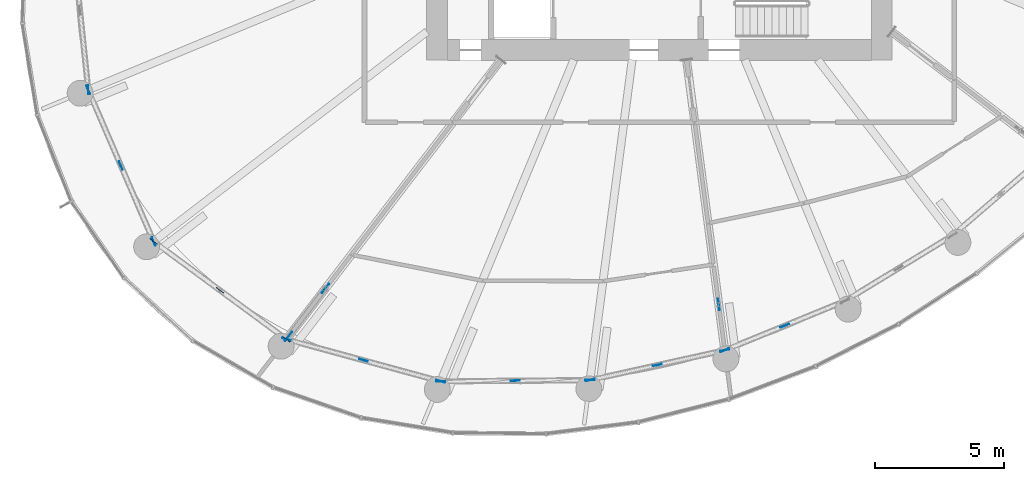
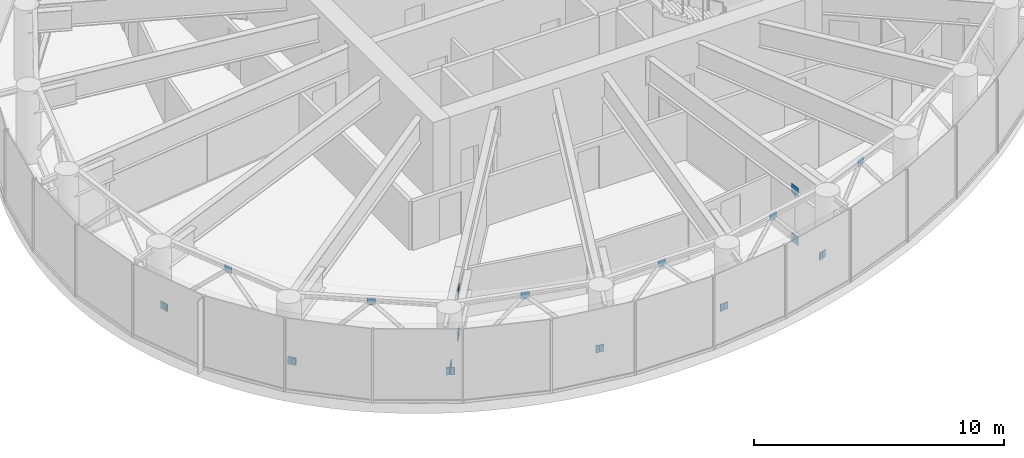
# One storey, part 17 of 25: 23 discrete accessories.
"""IFC4 building model written with IfcOpenShell, lengths in metres."""

from ifc_helpers import new_model, si_unit, direction, frame, origin, origin_2d, place, context, subcontext, project, spatial, rectangle, extrude, source, transform, mapped, material, layer, layer_set, type_object, element, save


model = new_model("IFC4")

# Units and contexts
model_context = context("Model", 3, precision=1e-05, world=origin(), true_north=direction((0.0, 1.0)))
body_context = subcontext(model_context, "Body", "Model", "MODEL_VIEW")
ifc_project = project(units=[si_unit("LENGTHUNIT", "METRE"), si_unit("AREAUNIT", "SQUARE_METRE"), si_unit("VOLUMEUNIT", "CUBIC_METRE"), si_unit("PLANEANGLEUNIT", "RADIAN"), si_unit("MASSUNIT", "GRAM", prefix="KILO")], contexts=[model_context])

# Site, building, storey
site_placement = place(None, origin())
site = spatial("IfcSite", under=ifc_project, at=site_placement, CompositionType="ELEMENT")
building_placement = place(site_placement, origin())
building = spatial("IfcBuilding", under=site, at=building_placement, Name="Spindrift Exchange Tower", CompositionType="ELEMENT")
storey_placement = place(building_placement, frame((0.0, 0.0, 179.89990234375)))
storey = spatial("IfcBuildingStorey", under=building, at=storey_placement, Name="L43", CompositionType="ELEMENT", Elevation=179.89990234375)

# Discrete accessories
ifc_material = material(Name="Steel Grade 350", Category="steel")
ifc_layer_1 = layer(ifc_material, 0.02490234375)
ifc_layer_set_1 = layer_set([ifc_layer_1], Name="Gusset plate 450x450x25 Steel Grade 350")
discrete_accessory_type_1 = type_object("IfcDiscreteAccessoryType", Name="Gusset plate 450x450x25 Steel Grade 350", PredefinedType="USERDEFINED", material=ifc_layer_set_1)
shared_shape_1 = source(origin(), body_context, "Body", "SweptSolid", [
    extrude(rectangle(XDim=0.449951171875, YDim=0.02490234375, at=origin_2d()), origin(), (0.0, 0.0, 1.0), 0.449951171875),
])
for number, where, z_axis, x_axis, name in (
    (1, (39.09130859375, 31.177001953125, 2.1552734375), (0.0, 0.0, 1.0), (-0.608773890899, -0.793343777791, 0.0), "L43 gusset plate GP1 16"),
    (2, (37.667236328125, 29.3212890625, 0.08935546875), (0.0, 0.0, 1.0), (-0.608773890899, -0.793343777791, 0.0), "L43 gusset plate GP1 16"),
    (3, (39.09130859375, 31.177001953125, 0.08935546875), (0.0, 0.0, 1.0), (-0.608761429009, -0.793353340291, 0.0), "L43 gusset plate GP1 16"),
    (4, (54.29638671875, 30.5576171875, -0.22509765625), (0.0, 0.0, 1.0), (0.13052619222, -0.991444861374, 0.0), "L43 gusset plate GP1 19"),
    (5, (54.29638671875, 30.5576171875, 2.1552734375), (0.0, 0.0, 1.0), (0.13052619222, -0.991444861374, 0.0), "L43 gusset plate GP1 19"),
):
    element("IfcDiscreteAccessory", number, at=place(storey_placement, frame(where, z_axis=z_axis, x_axis=x_axis)), inside=storey, type_object=discrete_accessory_type_1, Name=name, ObjectType="Gusset plate", PredefinedType="USERDEFINED", context=body_context, shape_type="MappedRepresentation", body=[
        mapped(shared_shape_1, transform((0.0, 0.0, 0.0), scale=1.0)),
    ])
ifc_layer_2 = layer(ifc_material, 0.02001953125)
ifc_layer_set_2 = layer_set([ifc_layer_2], Name="Gusset plate 350x350x20 Steel Grade 350")
discrete_accessory_type_2 = type_object("IfcDiscreteAccessoryType", Name="Gusset plate 350x350x20 Steel Grade 350", PredefinedType="USERDEFINED", material=ifc_layer_set_2)
shared_shape_2 = source(origin(), body_context, "Body", "SweptSolid", [
    extrude(rectangle(XDim=0.35009765625, YDim=0.02001953125, at=origin_2d()), origin(), (0.0, 0.0, 1.0), 0.35009765625),
])
for number, where, z_axis, x_axis, name in (
    (6, (29.91748046875, 38.85302734375, 0.03515625), (0.0, 0.0, 1.0), (0.103775109973, -0.994600787527, 0.0), "L43 gusset plate GP2 13"),
    (7, (29.91748046875, 38.85302734375, 0.03515625), (0.0, 0.0, 1.0), (0.395957431531, -0.918268867171, 0.0), "L43 gusset plate GP2 14"),
    (8, (31.1806640625, 35.923583984375, 3.195068359375), (0.0, 0.0, 1.0), (0.395957431531, -0.918268867171, 0.0), "L43 gusset plate GP2 14"),
    (9, (32.44384765625, 32.994140625, 0.03515625), (0.0, 0.0, 1.0), (0.395957431531, -0.918268867171, 0.0), "L43 gusset plate GP2 14"),
    (10, (32.44384765625, 32.994140625, 0.03515625), (0.0, 0.0, 1.0), (0.805234413673, -0.592956608055, 0.0), "L43 gusset plate GP2 15"),
    (11, (35.012939453125, 31.102294921875, 3.195068359375), (0.0, 0.0, 1.0), (0.805234413673, -0.592956608055, 0.0), "L43 gusset plate GP2 15"),
    (12, (37.58203125, 29.210205078125, 0.03515625), (0.0, 0.0, 1.0), (0.805208540294, -0.59299174247, 0.0), "L43 gusset plate GP2 15"),
    (13, (37.58203125, 29.210205078125, 0.03515625), (0.0, 0.0, 1.0), (0.964711536272, -0.263309042351, 0.0), "L43 gusset plate GP2 16"),
    (14, (40.5625, 28.396728515625, 3.195068359375), (0.0, 0.0, 1.0), (0.964711536272, -0.263309042351, 0.0), "L43 gusset plate GP2 16"),
    (15, (43.543212890625, 27.583251953125, 0.03515625), (0.0, 0.0, 1.0), (0.964711536272, -0.263309042351, 0.0), "L43 gusset plate GP2 16"),
    (16, (43.543212890625, 27.583251953125, 0.03515625), (0.0, 0.0, 1.0), (0.999964600556, 0.008414133037, 0.0), "L43 gusset plate GP2 17"),
    (17, (46.430908203125, 27.607421875, 3.195068359375), (0.0, 0.0, 1.0), (0.999964600556, 0.008414133037, 0.0), "L43 gusset plate GP2 17"),
    (18, (49.318603515625, 27.6318359375, 0.03515625), (0.0, 0.0, 1.0), (0.999964600556, 0.008414133037, 0.0), "L43 gusset plate GP2 17"),
    (19, (49.318603515625, 27.6318359375, 0.03515625), (0.0, 0.0, 1.0), (0.97634546795, 0.216216389787, 0.0), "L43 gusset plate GP2 18"),
    (20, (51.924072265625, 28.208740234375, 3.195068359375), (0.0, 0.0, 1.0), (0.97634546795, 0.216216389787, 0.0), "L43 gusset plate GP2 18"),
    (21, (54.529541015625, 28.785888671875, 0.03515625), (0.0, 0.0, 1.0), (0.976347354757, 0.216207869558, 0.0), "L43 gusset plate GP2 18"),
    (22, (54.529541015625, 28.785888671875, 0.03515625), (0.0, 0.0, 1.0), (0.925272621882, 0.379302748733, 0.0), "L43 gusset plate GP2 19"),
    (23, (56.85009765625, 29.737060546875, 3.195068359375), (0.0, 0.0, 1.0), (0.925272621882, 0.379302748733, 0.0), "L43 gusset plate GP2 19"),
):
    element("IfcDiscreteAccessory", number, at=place(storey_placement, frame(where, z_axis=z_axis, x_axis=x_axis)), inside=storey, type_object=discrete_accessory_type_2, Name=name, ObjectType="Gusset plate", PredefinedType="USERDEFINED", context=body_context, shape_type="MappedRepresentation", body=[
        mapped(shared_shape_2, transform((0.0, 0.0, 0.0), scale=1.0)),
    ])

save(model, "model.ifc")
